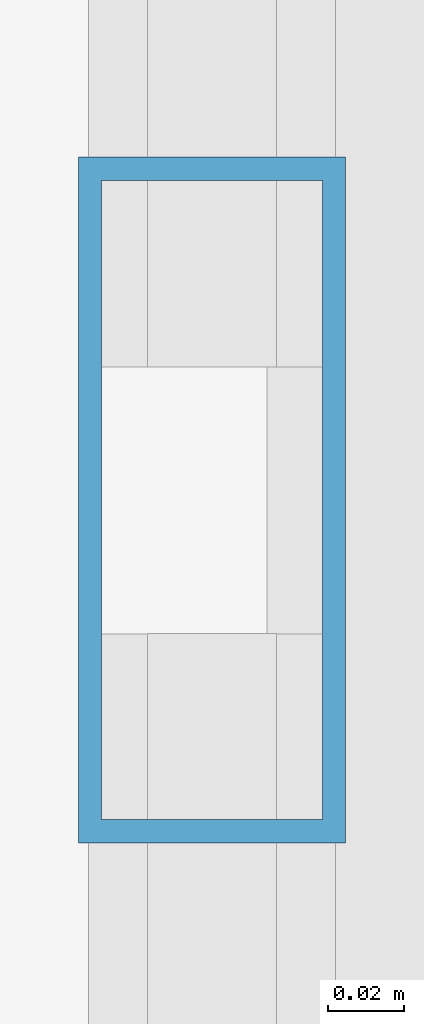
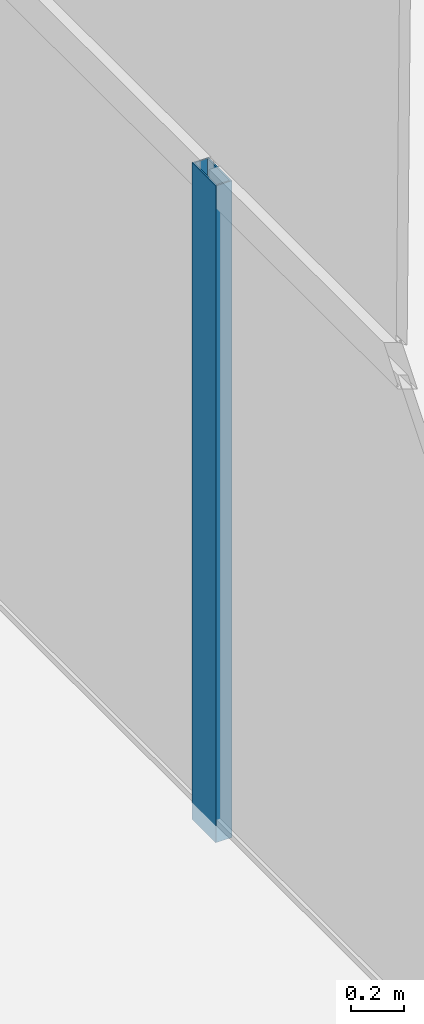
# One storey, part 11 of 32: 1 member, 1 element without a shape of its own.
"""IFC4 building model written with IfcOpenShell, lengths in metres."""

from ifc_helpers import new_model, si_unit, direction, frame, origin, origin_2d, place, context, subcontext, project, spatial, hollow_rectangle, extrude, source, transform, mapped, material, layer, layer_set, material_profile, profile_set, type_object, element, aggregate, save


model = new_model("IFC4")

# Units and contexts
model_context = context("Model", 3, precision=1e-05, world=origin(), true_north=direction((0.0, 1.0)))
body_context = subcontext(model_context, "Body", "Model", "MODEL_VIEW")
ifc_project = project(units=[si_unit("LENGTHUNIT", "METRE"), si_unit("AREAUNIT", "SQUARE_METRE"), si_unit("VOLUMEUNIT", "CUBIC_METRE"), si_unit("PLANEANGLEUNIT", "RADIAN"), si_unit("MASSUNIT", "GRAM", prefix="KILO")], contexts=[model_context])

# Site, building, storey
site_placement = place(None, origin())
site = spatial("IfcSite", under=ifc_project, at=site_placement, CompositionType="ELEMENT")
building_placement = place(site_placement, origin())
building = spatial("IfcBuilding", under=site, at=building_placement, Name="Sumidabori Civic Tower", CompositionType="ELEMENT")
storey_placement = place(building_placement, frame((0.0, 0.0, 298.199951171875)))
storey = spatial("IfcBuildingStorey", under=building, at=storey_placement, Name="RF Roof Crown", CompositionType="ELEMENT", Elevation=298.199951171875)

# Curtain wall, member
ifc_material = material(Name="Anodised Bronze Aluminium AW-6063-T6", Category="aluminium")
ifc_layer = layer(ifc_material, 0.179931640625, Name="Anodised Bronze Aluminium AW-6063-T6")
ifc_layer_set = layer_set([ifc_layer], Name="Anodised Bronze Aluminium AW-6063-T6")
curtain_wall_type = type_object("IfcCurtainWallType", Name="CW-SYS-6", PredefinedType="NOTDEFINED", material=ifc_layer_set)
curtain_wall_placement = place(storey_placement, origin())
curtain_wall = element("IfcCurtainWall", 1, at=curtain_wall_placement, inside=storey, type_object=curtain_wall_type, Name="Glass-Point Crown West Cheek Curtain Wall", PredefinedType="NOTDEFINED")
ifc_material_profile = material_profile(ifc_material, hollow_rectangle(XDim=0.070068359375, YDim=0.179931640625, WallThickness=0.006103515625, at=origin_2d()), Name="ALU MULLION 180x70")
ifc_profile_set = profile_set([ifc_material_profile], Name="Anodised Bronze Aluminium AW-6063-T6")
member_type = type_object("IfcMemberType", Name="CW-MUL-180", PredefinedType="MULLION", material=ifc_profile_set)
shared_shape = source(origin(), body_context, "Body", "SweptSolid", [
    extrude(hollow_rectangle(XDim=0.070068359375, YDim=0.179931640625, WallThickness=0.006103515625, at=origin_2d()), origin(), (0.0, 0.0, 1.0), 3.050048828125),
])
member_placement = place(storey_placement, frame((-16.60009765625, 14.35009765625, 0.0), z_axis=(0.0, 0.0, 1.0), x_axis=(1.0, 0.0, 0.0)))
member = element("IfcMember", 2, at=member_placement, type_object=member_type, Name="CW-6 mullion 2", PredefinedType="MULLION", context=body_context, shape_type="MappedRepresentation", body=[
    mapped(shared_shape, transform((0.0, 0.0, 0.0), x_axis=(1.0, 0.0, 0.0), y_axis=(0.0, 1.0, 0.0), z_axis=(0.0, 0.0, 1.0), scale=1.0)),
])
aggregate(curtain_wall, [member])

save(model, "model.ifc")
